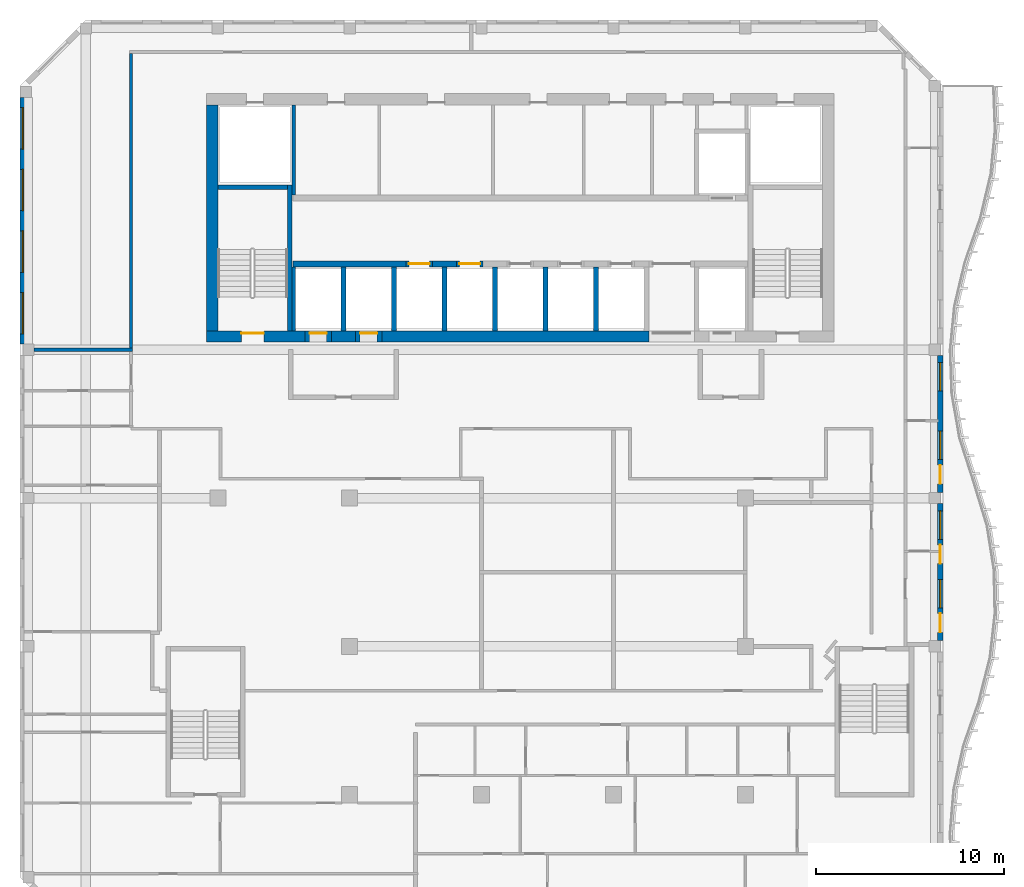
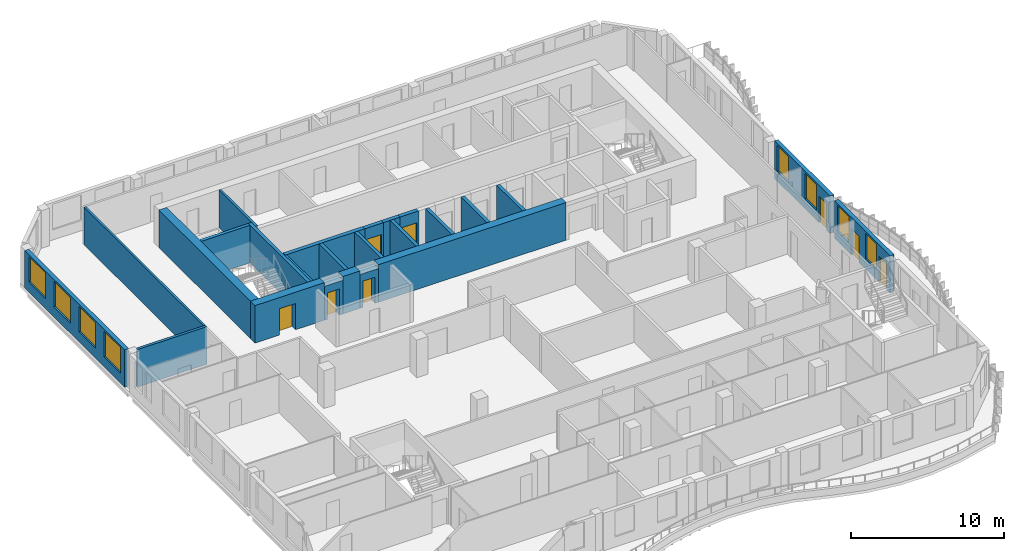
# One storey, part 6 of 14: 25 walls, 8 doors, 8 windows, 16 openings.
"""IFC4 building model written with IfcOpenShell, lengths in metres."""

from ifc_helpers import new_model, si_unit, direction, frame, frame_2d, origin, place, context, subcontext, project, spatial, rectangle, extrude, source, transform, mapped, material, layer, layer_set, type_object, element, fill, save


model = new_model("IFC4")

# Units and contexts
model_context = context("Model", 3, precision=1e-05, world=origin(), true_north=direction((0.0, 1.0)))
body_context = subcontext(model_context, "Body", "Model", "MODEL_VIEW")
ifc_project = project(units=[si_unit("LENGTHUNIT", "METRE"), si_unit("AREAUNIT", "SQUARE_METRE"), si_unit("VOLUMEUNIT", "CUBIC_METRE"), si_unit("PLANEANGLEUNIT", "RADIAN"), si_unit("MASSUNIT", "GRAM", prefix="KILO")], contexts=[model_context])

# Site, building, storey
site_placement = place(None, origin())
site = spatial("IfcSite", under=ifc_project, at=site_placement, CompositionType="ELEMENT")
building_placement = place(site_placement, origin())
building = spatial("IfcBuilding", under=site, at=building_placement, Name="Kilnfold Tower and Market Hall", CompositionType="ELEMENT")
storey_placement = place(building_placement, frame((0.0, 0.0, 315.39990234375)))
storey = spatial("IfcBuildingStorey", under=building, at=storey_placement, Name="L79", CompositionType="ELEMENT", Elevation=315.39990234375)

# Walls
ifc_material_1 = material(Name="Gypsum board on steel studs", Category="steel")
ifc_layer_1 = layer(ifc_material_1, 0.14990234375)
ifc_layer_set_1 = layer_set([ifc_layer_1], Name="Gypsum board on steel studs")
wall_type_1 = type_object("IfcWallType", Name="WALL CORRIDOR 150", PredefinedType="PARTITIONING", material=ifc_layer_set_1)
wall_1_placement = place(storey_placement, frame((-19.60009765625, 8.090087890625, 0.0), z_axis=(0.0, 0.0, 1.0), x_axis=(0.0, 1.0, 0.0)))
element("IfcWall", 1, at=wall_1_placement, inside=storey, type_object=wall_type_1, Name="Partition LY47.10", PredefinedType="PARTITIONING", context=body_context, shape_type="SweptSolid", body=[
    extrude(rectangle(XDim=15.635009765625, YDim=0.14990234375, at=frame_2d((7.8173828125, 0.0))), origin(), (0.0, 0.0, 1.0), 3.0),
])
ifc_material_2 = material(Name="Gypsum board on steel studs", Category="steel")
ifc_layer_2 = layer(ifc_material_2, 0.199951171875)
ifc_layer_set_2 = layer_set([ifc_layer_2], Name="Gypsum board on steel studs")
wall_type_2 = type_object("IfcWallType", Name="WALL PARTY 200", PredefinedType="PARTITIONING", material=ifc_layer_set_2)
wall_2_placement = place(storey_placement, frame((-19.527099609375, 8.0, 0.0), z_axis=(0.0, 0.0, 1.0), x_axis=(-1.0, 0.0, 0.0)))
element("IfcWall", 2, at=wall_2_placement, inside=storey, type_object=wall_type_2, Name="Partition LY47.49", PredefinedType="PARTITIONING", context=body_context, shape_type="SweptSolid", body=[
    extrude(rectangle(XDim=5.222900390625, YDim=0.199951171875, at=frame_2d((2.611328125, 0.0))), origin(), (0.0, 0.0, 1.0), 3.0),
])
ifc_material_3 = material(Name="Concrete C50", Category="concrete")
ifc_layer_3 = layer(ifc_material_3, 0.25)
ifc_layer_set_3 = layer_set([ifc_layer_3], Name="Concrete C50")
wall_type_3 = type_object("IfcWallType", Name="CORE WALL 250 C50", PredefinedType="SHEAR", material=ifc_layer_set_3)
shared_shape_1 = source(origin(), body_context, "Body", "SweptSolid", [
    extrude(rectangle(XDim=7.75, YDim=0.25, at=frame_2d((3.875, 0.0))), origin(), (0.0, 0.0, 1.0), 3.0),
])
wall_3_placement = place(storey_placement, frame((-11.175048828125, 9.0, 0.0), z_axis=(0.0, 0.0, 1.0), x_axis=(0.0, 1.0, 0.0)))
element("IfcWall", 3, at=wall_3_placement, inside=storey, type_object=wall_type_3, Name="Stair enclosure ST1", PredefinedType="SHEAR", context=body_context, shape_type="MappedRepresentation", body=[
    mapped(shared_shape_1, transform((0.0, 0.0, 0.0))),
])
shared_shape_2 = source(origin(), body_context, "Body", "SweptSolid", [
    extrude(rectangle(XDim=3.699951171875, YDim=0.25, at=frame_2d((1.85009765625, 0.0))), origin(), (0.0, 0.0, 1.0), 3.0),
])
wall_4_placement = place(storey_placement, frame((-15.0, 16.625, 0.0), z_axis=(0.0, 0.0, 1.0), x_axis=(1.0, 0.0, 0.0)))
element("IfcWall", 4, at=wall_4_placement, inside=storey, type_object=wall_type_3, Name="Stair enclosure ST1", PredefinedType="SHEAR", context=body_context, shape_type="MappedRepresentation", body=[
    mapped(shared_shape_2, transform((0.0, 0.0, 0.0))),
])
ifc_material_4 = material(Name="Concrete C50", Category="concrete")
ifc_layer_4 = layer(ifc_material_4, 0.300048828125)
ifc_layer_set_4 = layer_set([ifc_layer_4], Name="Concrete C50")
wall_type_4 = type_object("IfcWallType", Name="CORE WALL 300 C50", PredefinedType="SHEAR", material=ifc_layer_set_4)
shared_shape_3 = source(origin(), body_context, "Body", "SweptSolid", [
    extrude(rectangle(XDim=6.0, YDim=0.300048828125, at=frame_2d((3.0, 0.0))), origin(), (0.0, 0.0, 1.0), 3.0),
])
wall_5_placement = place(storey_placement, frame((-11.010009765625, 12.550048828125, 0.0), z_axis=(0.0, 0.0, 1.0), x_axis=(1.0, 0.0, 0.0)))
element("IfcWall", 5, at=wall_5_placement, inside=storey, type_object=wall_type_4, Name="Core spine wall", PredefinedType="SHEAR", context=body_context, shape_type="MappedRepresentation", body=[
    mapped(shared_shape_3, transform((0.0, 0.0, 0.0))),
])
shared_shape_4 = source(origin(), body_context, "Body", "SweptSolid", [
    extrude(rectangle(XDim=1.280029296875, YDim=0.300048828125, at=frame_2d((0.64013671875, 0.0))), origin(), (0.0, 0.0, 1.0), 3.0),
])
wall_6_placement = place(storey_placement, frame((-3.610107421875, 12.550048828125, 0.0), z_axis=(0.0, 0.0, 1.0), x_axis=(1.0, 0.0, 0.0)))
element("IfcWall", 6, at=wall_6_placement, inside=storey, type_object=wall_type_4, Name="Core spine wall", PredefinedType="SHEAR", context=body_context, shape_type="MappedRepresentation", body=[
    mapped(shared_shape_4, transform((0.0, 0.0, 0.0))),
])

# Wall, opening, door
ifc_material_5 = material(Name="Concrete C50", Category="concrete")
ifc_layer_5 = layer(ifc_material_5, 0.60009765625)
ifc_layer_set_5 = layer_set([ifc_layer_5], Name="Concrete C50")
wall_type_5 = type_object("IfcWallType", Name="CORE WALL 600 C50", PredefinedType="SHEAR", material=ifc_layer_set_5)
shared_shape_5 = source(origin(), body_context, "Body", "SweptSolid", [
    extrude(rectangle(XDim=5.22998046875, YDim=0.60009765625, at=frame_2d((2.614990234375, 0.0))), origin(), (0.0, 0.0, 1.0), 3.0),
])
wall_7_placement = place(storey_placement, frame((-15.60009765625, 8.699951171875, 0.0), z_axis=(0.0, 0.0, 1.0), x_axis=(1.0, 0.0, 0.0)))
wall_7 = element("IfcWall", 7, at=wall_7_placement, inside=storey, type_object=wall_type_5, Name="Core outer wall south", PredefinedType="SHEAR", context=body_context, shape_type="MappedRepresentation", body=[
    mapped(shared_shape_5, transform((0.0, 0.0, 0.0))),
])
opening_1_placement = place(wall_7_placement, frame((1.85009765625, 0.0, 0.0)))
opening_1 = element("IfcOpeningElement", 8, at=opening_1_placement, cuts=wall_7, Name="Opening SD1", PredefinedType="OPENING", context=body_context, shape_type="SweptSolid", body=[
    extrude(rectangle(XDim=1.199951171875, YDim=2.10009765625, at=frame_2d((0.60009765625, 1.050048828125))), frame((0.0, 0.31005859375, 0.0), z_axis=(0.0, -1.0, 0.0), x_axis=(1.0, 0.0, 0.0)), (0.0, 0.0, 1.0), 0.6201171875),
])
ifc_material_6 = material(Name="Steel door set with fire-resisting leaf", Category="steel")
door_type_1 = type_object("IfcDoorType", Name="STAIR FLOOR DOOR 1200X2100", OperationType="NOTDEFINED", PredefinedType="DOOR", material=ifc_material_6)
door_1_placement = place(opening_1_placement, origin())
door_1 = element("IfcDoor", 9, at=door_1_placement, inside=storey, type_object=door_type_1, Name="Exit stair ST1 door", OperationType="DOUBLE_DOOR_SINGLE_SWING", OverallHeight=2.10009765625, OverallWidth=1.199951171875, PredefinedType="DOOR", context=body_context, shape_type="SweptSolid", body=[
    extrude(rectangle(XDim=1.199951171875, YDim=2.10009765625, at=frame_2d((0.60009765625, 1.050048828125))), frame((0.0, 0.205078125, 0.0), z_axis=(0.0, -1.0, 0.0), x_axis=(1.0, 0.0, 0.0)), (0.0, 0.0, 1.0), 0.050048828125),
])
fill(opening_1, door_1)

# Walls
shared_shape_6 = source(origin(), body_context, "Body", "SweptSolid", [
    extrude(rectangle(XDim=1.280029296875, YDim=0.60009765625, at=frame_2d((0.64013671875, 0.0))), origin(), (0.0, 0.0, 1.0), 3.0),
])
wall_8_placement = place(storey_placement, frame((-8.969970703125, 8.699951171875, 0.0), z_axis=(0.0, 0.0, 1.0), x_axis=(1.0, 0.0, 0.0)))
element("IfcWall", 10, at=wall_8_placement, inside=storey, type_object=wall_type_5, Name="Core outer wall south", PredefinedType="SHEAR", context=body_context, shape_type="MappedRepresentation", body=[
    mapped(shared_shape_6, transform((0.0, 0.0, 0.0))),
])
shared_shape_7 = source(origin(), body_context, "Body", "SweptSolid", [
    extrude(rectangle(XDim=14.179931640625, YDim=0.60009765625, at=frame_2d((7.08984375, 0.0))), origin(), (0.0, 0.0, 1.0), 3.0),
])
wall_9_placement = place(storey_placement, frame((-6.2900390625, 8.699951171875, 0.0), z_axis=(0.0, 0.0, 1.0), x_axis=(1.0, 0.0, 0.0)))
element("IfcWall", 11, at=wall_9_placement, inside=storey, type_object=wall_type_5, Name="Core outer wall south", PredefinedType="SHEAR", context=body_context, shape_type="MappedRepresentation", body=[
    mapped(shared_shape_7, transform((0.0, 0.0, 0.0))),
])
shared_shape_8 = source(origin(), body_context, "Body", "SweptSolid", [
    extrude(rectangle(XDim=12.0, YDim=0.60009765625, at=frame_2d((6.0, 0.0))), origin(), (0.0, 0.0, 1.0), 3.0),
])
wall_10_placement = place(storey_placement, frame((-15.300048828125, 9.0, 0.0), z_axis=(0.0, 0.0, 1.0), x_axis=(0.0, 1.0, 0.0)))
element("IfcWall", 12, at=wall_10_placement, inside=storey, type_object=wall_type_5, Name="Core outer wall west", PredefinedType="SHEAR", context=body_context, shape_type="MappedRepresentation", body=[
    mapped(shared_shape_8, transform((0.0, 0.0, 0.0))),
])

# Wall, openings, doors, windows
ifc_material_7 = material(Name="Precast concrete C50/60", Category="concrete")
ifc_layer_6 = layer(ifc_material_7, 0.300048828125)
ifc_layer_set_6 = layer_set([ifc_layer_6], Name="Precast concrete C50/60")
wall_type_6 = type_object("IfcWallType", Name="PRECAST WALL 300", PredefinedType="SOLIDWALL", material=ifc_layer_set_6)
shared_shape_9 = source(origin(), body_context, "Body", "SweptSolid", [
    extrude(rectangle(XDim=7.27490234375, YDim=0.300048828125, at=frame_2d((3.637451171875, 0.0))), origin(), (0.0, 0.0, 1.0), 3.0),
])
wall_11_placement = place(storey_placement, frame((23.35009765625, -7.449951171875, 0.0), z_axis=(0.0, 0.0, 1.0), x_axis=(0.0, 1.0, 0.0)))
wall_11 = element("IfcWall", 13, at=wall_11_placement, inside=storey, type_object=wall_type_6, Name="External wall L79 E", PredefinedType="SOLIDWALL", context=body_context, shape_type="MappedRepresentation", body=[
    mapped(shared_shape_9, transform((0.0, 0.0, 0.0))),
])
opening_2_placement = place(wall_11_placement, frame((1.75, 0.0, 0.800048828125)))
opening_2 = element("IfcOpeningElement", 14, at=opening_2_placement, cuts=wall_11, Name="Opening W5", PredefinedType="OPENING", context=body_context, shape_type="SweptSolid", body=[
    extrude(rectangle(XDim=1.5, YDim=2.050048828125, at=frame_2d((0.75, 1.02490234375))), frame((0.0, 0.16015625, 0.0), z_axis=(0.0, -1.0, 0.0), x_axis=(1.0, 0.0, 0.0)), (0.0, 0.0, 1.0), 0.320068359375),
])
opening_3_placement = place(wall_11_placement, frame((0.449951171875, 0.0, 0.0)))
opening_3 = element("IfcOpeningElement", 15, at=opening_3_placement, cuts=wall_11, Name="Opening BD1", PredefinedType="OPENING", context=body_context, shape_type="SweptSolid", body=[
    extrude(rectangle(XDim=1.0, YDim=2.10009765625, at=frame_2d((0.5, 1.050048828125))), frame((0.0, 0.16015625, 0.0), z_axis=(0.0, -1.0, 0.0), x_axis=(1.0, 0.0, 0.0)), (0.0, 0.0, 1.0), 0.320068359375),
])
opening_4_placement = place(wall_11_placement, frame((5.387451171875, 0.0, 0.800048828125)))
opening_4 = element("IfcOpeningElement", 16, at=opening_4_placement, cuts=wall_11, Name="Opening W5", PredefinedType="OPENING", context=body_context, shape_type="SweptSolid", body=[
    extrude(rectangle(XDim=1.5, YDim=2.050048828125, at=frame_2d((0.75, 1.02490234375))), frame((0.0, 0.16015625, 0.0), z_axis=(0.0, -1.0, 0.0), x_axis=(1.0, 0.0, 0.0)), (0.0, 0.0, 1.0), 0.320068359375),
])
opening_5_placement = place(wall_11_placement, frame((4.08740234375, 0.0, 0.0)))
opening_5 = element("IfcOpeningElement", 17, at=opening_5_placement, cuts=wall_11, Name="Opening BD1", PredefinedType="OPENING", context=body_context, shape_type="SweptSolid", body=[
    extrude(rectangle(XDim=1.0, YDim=2.10009765625, at=frame_2d((0.5, 1.050048828125))), frame((0.0, 0.16015625, 0.0), z_axis=(0.0, -1.0, 0.0), x_axis=(1.0, 0.0, 0.0)), (0.0, 0.0, 1.0), 0.320068359375),
])
ifc_material_8 = material(Name="Aluminium frame and double glazing", Category="aluminium")
door_type_2 = type_object("IfcDoorType", Name="BALCONY DOOR 1000X2100", OperationType="NOTDEFINED", PredefinedType="DOOR", material=ifc_material_8)
door_2_placement = place(opening_3_placement, origin())
door_2 = element("IfcDoor", 18, at=door_2_placement, inside=storey, type_object=door_type_2, Name="Balcony door BD1 L79 E-1", OperationType="SINGLE_SWING_LEFT", OverallHeight=2.10009765625, OverallWidth=1.0, PredefinedType="DOOR", context=body_context, shape_type="SweptSolid", body=[
    extrude(rectangle(XDim=1.0, YDim=2.10009765625, at=frame_2d((0.5, 1.050048828125))), frame((0.0, 0.02490234375, 0.0), z_axis=(0.0, -1.0, 0.0), x_axis=(1.0, 0.0, 0.0)), (0.0, 0.0, 1.0), 0.050048828125),
])
fill(opening_3, door_2)
door_3_placement = place(opening_5_placement, origin())
door_3 = element("IfcDoor", 19, at=door_3_placement, inside=storey, type_object=door_type_2, Name="Balcony door BD1 L79 E-2", OperationType="SINGLE_SWING_RIGHT", OverallHeight=2.10009765625, OverallWidth=1.0, PredefinedType="DOOR", context=body_context, shape_type="SweptSolid", body=[
    extrude(rectangle(XDim=1.0, YDim=2.10009765625, at=frame_2d((0.5, 1.050048828125))), frame((0.0, 0.02490234375, 0.0), z_axis=(0.0, -1.0, 0.0), x_axis=(1.0, 0.0, 0.0)), (0.0, 0.0, 1.0), 0.050048828125),
])
fill(opening_5, door_3)
ifc_material_9 = material(Name="Aluminium frame and double glazing", Category="aluminium")
window_type_1 = type_object("IfcWindowType", Name="WINDOW W5 1500X2050", PartitioningType="SINGLE_PANEL", PredefinedType="WINDOW", material=ifc_material_9)
window_1_placement = place(opening_2_placement, origin())
window_1 = element("IfcWindow", 20, at=window_1_placement, inside=storey, type_object=window_type_1, Name="Window W5 L79 E-1", OverallHeight=2.050048828125, OverallWidth=1.5, PartitioningType="SINGLE_PANEL", PredefinedType="WINDOW", context=body_context, shape_type="SweptSolid", body=[
    extrude(rectangle(XDim=1.5, YDim=2.050048828125, at=frame_2d((0.75, 1.02490234375))), frame((0.0, 0.030029296875, 0.0), z_axis=(0.0, -1.0, 0.0), x_axis=(1.0, 0.0, 0.0)), (0.0, 0.0, 1.0), 0.06005859375),
])
fill(opening_2, window_1)
window_2_placement = place(opening_4_placement, origin())
window_2 = element("IfcWindow", 21, at=window_2_placement, inside=storey, type_object=window_type_1, Name="Window W5 L79 E-2", OverallHeight=2.050048828125, OverallWidth=1.5, PartitioningType="SINGLE_PANEL", PredefinedType="WINDOW", context=body_context, shape_type="SweptSolid", body=[
    extrude(rectangle(XDim=1.5, YDim=2.050048828125, at=frame_2d((0.75, 1.02490234375))), frame((0.0, 0.030029296875, 0.0), z_axis=(0.0, -1.0, 0.0), x_axis=(1.0, 0.0, 0.0)), (0.0, 0.0, 1.0), 0.06005859375),
])
fill(opening_4, window_2)

# Wall, openings, door, windows
wall_12_placement = place(storey_placement, frame((23.35009765625, 0.425048828125, 0.0), z_axis=(0.0, 0.0, 1.0), x_axis=(0.0, 1.0, 0.0)))
wall_12 = element("IfcWall", 22, at=wall_12_placement, inside=storey, type_object=wall_type_6, Name="External wall L79 E", PredefinedType="SOLIDWALL", context=body_context, shape_type="MappedRepresentation", body=[
    mapped(shared_shape_9, transform((0.0, 0.0, 0.0))),
])
opening_6_placement = place(wall_12_placement, frame((1.75, 0.0, 0.800048828125)))
opening_6 = element("IfcOpeningElement", 23, at=opening_6_placement, cuts=wall_12, Name="Opening W5", PredefinedType="OPENING", context=body_context, shape_type="SweptSolid", body=[
    extrude(rectangle(XDim=1.5, YDim=2.050048828125, at=frame_2d((0.75, 1.02490234375))), frame((0.0, 0.16015625, 0.0), z_axis=(0.0, -1.0, 0.0), x_axis=(1.0, 0.0, 0.0)), (0.0, 0.0, 1.0), 0.320068359375),
])
opening_7_placement = place(wall_12_placement, frame((0.449951171875, 0.0, 0.0)))
opening_7 = element("IfcOpeningElement", 24, at=opening_7_placement, cuts=wall_12, Name="Opening BD1", PredefinedType="OPENING", context=body_context, shape_type="SweptSolid", body=[
    extrude(rectangle(XDim=1.0, YDim=2.10009765625, at=frame_2d((0.5, 1.050048828125))), frame((0.0, 0.16015625, 0.0), z_axis=(0.0, -1.0, 0.0), x_axis=(1.0, 0.0, 0.0)), (0.0, 0.0, 1.0), 0.320068359375),
])
opening_8_placement = place(wall_12_placement, frame((5.387451171875, 0.0, 0.800048828125)))
opening_8 = element("IfcOpeningElement", 25, at=opening_8_placement, cuts=wall_12, Name="Opening W5", PredefinedType="OPENING", context=body_context, shape_type="SweptSolid", body=[
    extrude(rectangle(XDim=1.5, YDim=2.050048828125, at=frame_2d((0.75, 1.02490234375))), frame((0.0, 0.16015625, 0.0), z_axis=(0.0, -1.0, 0.0), x_axis=(1.0, 0.0, 0.0)), (0.0, 0.0, 1.0), 0.320068359375),
])
door_4_placement = place(opening_7_placement, origin())
door_4 = element("IfcDoor", 26, at=door_4_placement, inside=storey, type_object=door_type_2, Name="Balcony door BD1 L79 E-1", OperationType="SINGLE_SWING_LEFT", OverallHeight=2.10009765625, OverallWidth=1.0, PredefinedType="DOOR", context=body_context, shape_type="SweptSolid", body=[
    extrude(rectangle(XDim=1.0, YDim=2.10009765625, at=frame_2d((0.5, 1.050048828125))), frame((0.0, 0.02490234375, 0.0), z_axis=(0.0, -1.0, 0.0), x_axis=(1.0, 0.0, 0.0)), (0.0, 0.0, 1.0), 0.050048828125),
])
fill(opening_7, door_4)
window_3_placement = place(opening_6_placement, origin())
window_3 = element("IfcWindow", 27, at=window_3_placement, inside=storey, type_object=window_type_1, Name="Window W5 L79 E-1", OverallHeight=2.050048828125, OverallWidth=1.5, PartitioningType="SINGLE_PANEL", PredefinedType="WINDOW", context=body_context, shape_type="SweptSolid", body=[
    extrude(rectangle(XDim=1.5, YDim=2.050048828125, at=frame_2d((0.75, 1.02490234375))), frame((0.0, 0.030029296875, 0.0), z_axis=(0.0, -1.0, 0.0), x_axis=(1.0, 0.0, 0.0)), (0.0, 0.0, 1.0), 0.06005859375),
])
fill(opening_6, window_3)
window_4_placement = place(opening_8_placement, origin())
window_4 = element("IfcWindow", 28, at=window_4_placement, inside=storey, type_object=window_type_1, Name="Window W5 L79 E-2", OverallHeight=2.050048828125, OverallWidth=1.5, PartitioningType="SINGLE_PANEL", PredefinedType="WINDOW", context=body_context, shape_type="SweptSolid", body=[
    extrude(rectangle(XDim=1.5, YDim=2.050048828125, at=frame_2d((0.75, 1.02490234375))), frame((0.0, 0.030029296875, 0.0), z_axis=(0.0, -1.0, 0.0), x_axis=(1.0, 0.0, 0.0)), (0.0, 0.0, 1.0), 0.06005859375),
])
fill(opening_8, window_4)

# Wall, openings, windows
shared_shape_10 = source(origin(), body_context, "Body", "SweptSolid", [
    extrude(rectangle(XDim=13.081787109375, YDim=0.300048828125, at=frame_2d((6.541015625, 0.0))), origin(), (0.0, 0.0, 1.0), 3.0),
])
wall_13_placement = place(storey_placement, frame((-25.35009765625, 21.3818359375, 0.0), z_axis=(0.0, 0.0, 1.0), x_axis=(0.0, -1.0, 0.0)))
wall_13 = element("IfcWall", 29, at=wall_13_placement, inside=storey, type_object=wall_type_6, Name="External wall L79 W", PredefinedType="SOLIDWALL", context=body_context, shape_type="MappedRepresentation", body=[
    mapped(shared_shape_10, transform((0.0, 0.0, 0.0))),
])
opening_9_placement = place(wall_13_placement, frame((0.53515625, 0.0, 0.800048828125)))
opening_9 = element("IfcOpeningElement", 30, at=opening_9_placement, cuts=wall_13, Name="Opening W3", PredefinedType="OPENING", context=body_context, shape_type="SweptSolid", body=[
    extrude(rectangle(XDim=2.199951171875, YDim=2.050048828125, at=frame_2d((1.10009765625, 1.02490234375))), frame((0.0, 0.16015625, 0.0), z_axis=(0.0, -1.0, 0.0), x_axis=(1.0, 0.0, 0.0)), (0.0, 0.0, 1.0), 0.320068359375),
])
opening_10_placement = place(wall_13_placement, frame((3.8056640625, 0.0, 0.800048828125)))
opening_10 = element("IfcOpeningElement", 31, at=opening_10_placement, cuts=wall_13, Name="Opening W3", PredefinedType="OPENING", context=body_context, shape_type="SweptSolid", body=[
    extrude(rectangle(XDim=2.199951171875, YDim=2.050048828125, at=frame_2d((1.10009765625, 1.02490234375))), frame((0.0, 0.16015625, 0.0), z_axis=(0.0, -1.0, 0.0), x_axis=(1.0, 0.0, 0.0)), (0.0, 0.0, 1.0), 0.320068359375),
])
opening_11_placement = place(wall_13_placement, frame((7.076171875, 0.0, 0.800048828125)))
opening_11 = element("IfcOpeningElement", 32, at=opening_11_placement, cuts=wall_13, Name="Opening W3", PredefinedType="OPENING", context=body_context, shape_type="SweptSolid", body=[
    extrude(rectangle(XDim=2.199951171875, YDim=2.050048828125, at=frame_2d((1.10009765625, 1.02490234375))), frame((0.0, 0.16015625, 0.0), z_axis=(0.0, -1.0, 0.0), x_axis=(1.0, 0.0, 0.0)), (0.0, 0.0, 1.0), 0.320068359375),
])
opening_12_placement = place(wall_13_placement, frame((10.3466796875, 0.0, 0.800048828125)))
opening_12 = element("IfcOpeningElement", 33, at=opening_12_placement, cuts=wall_13, Name="Opening W3", PredefinedType="OPENING", context=body_context, shape_type="SweptSolid", body=[
    extrude(rectangle(XDim=2.199951171875, YDim=2.050048828125, at=frame_2d((1.10009765625, 1.02490234375))), frame((0.0, 0.16015625, 0.0), z_axis=(0.0, -1.0, 0.0), x_axis=(1.0, 0.0, 0.0)), (0.0, 0.0, 1.0), 0.320068359375),
])
ifc_material_10 = material(Name="Aluminium frame and double glazing", Category="aluminium")
window_type_2 = type_object("IfcWindowType", Name="WINDOW W3 2200X2050", PartitioningType="SINGLE_PANEL", PredefinedType="WINDOW", material=ifc_material_10)
window_5_placement = place(opening_9_placement, origin())
window_5 = element("IfcWindow", 34, at=window_5_placement, inside=storey, type_object=window_type_2, Name="Window W3 L79 W-1", OverallHeight=2.050048828125, OverallWidth=2.199951171875, PartitioningType="SINGLE_PANEL", PredefinedType="WINDOW", context=body_context, shape_type="SweptSolid", body=[
    extrude(rectangle(XDim=2.199951171875, YDim=2.050048828125, at=frame_2d((1.10009765625, 1.02490234375))), frame((0.0, 0.030029296875, 0.0), z_axis=(0.0, -1.0, 0.0), x_axis=(1.0, 0.0, 0.0)), (0.0, 0.0, 1.0), 0.06005859375),
])
fill(opening_9, window_5)
window_6_placement = place(opening_10_placement, origin())
window_6 = element("IfcWindow", 35, at=window_6_placement, inside=storey, type_object=window_type_2, Name="Window W3 L79 W-2", OverallHeight=2.050048828125, OverallWidth=2.199951171875, PartitioningType="SINGLE_PANEL", PredefinedType="WINDOW", context=body_context, shape_type="SweptSolid", body=[
    extrude(rectangle(XDim=2.199951171875, YDim=2.050048828125, at=frame_2d((1.10009765625, 1.02490234375))), frame((0.0, 0.030029296875, 0.0), z_axis=(0.0, -1.0, 0.0), x_axis=(1.0, 0.0, 0.0)), (0.0, 0.0, 1.0), 0.06005859375),
])
fill(opening_10, window_6)
window_7_placement = place(opening_11_placement, origin())
window_7 = element("IfcWindow", 36, at=window_7_placement, inside=storey, type_object=window_type_2, Name="Window W3 L79 W-3", OverallHeight=2.050048828125, OverallWidth=2.199951171875, PartitioningType="SINGLE_PANEL", PredefinedType="WINDOW", context=body_context, shape_type="SweptSolid", body=[
    extrude(rectangle(XDim=2.199951171875, YDim=2.050048828125, at=frame_2d((1.10009765625, 1.02490234375))), frame((0.0, 0.030029296875, 0.0), z_axis=(0.0, -1.0, 0.0), x_axis=(1.0, 0.0, 0.0)), (0.0, 0.0, 1.0), 0.06005859375),
])
fill(opening_11, window_7)
window_8_placement = place(opening_12_placement, origin())
window_8 = element("IfcWindow", 37, at=window_8_placement, inside=storey, type_object=window_type_2, Name="Window W3 L79 W-4", OverallHeight=2.050048828125, OverallWidth=2.199951171875, PartitioningType="SINGLE_PANEL", PredefinedType="WINDOW", context=body_context, shape_type="SweptSolid", body=[
    extrude(rectangle(XDim=2.199951171875, YDim=2.050048828125, at=frame_2d((1.10009765625, 1.02490234375))), frame((0.0, 0.030029296875, 0.0), z_axis=(0.0, -1.0, 0.0), x_axis=(1.0, 0.0, 0.0)), (0.0, 0.0, 1.0), 0.06005859375),
])
fill(opening_12, window_8)

# Wall, opening, door
ifc_material_11 = material(Name="Gypsum shaft wall system")
ifc_layer_7 = layer(ifc_material_11, 0.300048828125)
ifc_layer_set_7 = layer_set([ifc_layer_7], Name="Gypsum shaft wall system")
wall_type_7 = type_object("IfcWallType", Name="SHAFT WALL 300", PredefinedType="PARTITIONING", material=ifc_layer_set_7)
shared_shape_11 = source(origin(), body_context, "Body", "SweptSolid", [
    extrude(rectangle(XDim=1.39990234375, YDim=0.300048828125, at=frame_2d((0.699951171875, 0.0))), origin(), (0.0, 0.0, 1.0), 3.0),
])
wall_14_placement = place(storey_placement, frame((-5.010009765625, 12.550048828125, 0.0), z_axis=(0.0, 0.0, 1.0), x_axis=(1.0, 0.0, 0.0)))
wall_14 = element("IfcWall", 38, at=wall_14_placement, inside=storey, type_object=wall_type_7, Name="Lift shaft front wall", PredefinedType="PARTITIONING", context=body_context, shape_type="MappedRepresentation", body=[
    mapped(shared_shape_11, transform((0.0, 0.0, 0.0))),
])
opening_13_placement = place(wall_14_placement, frame((0.14990234375, 0.0, 0.0)))
opening_13 = element("IfcOpeningElement", 39, at=opening_13_placement, cuts=wall_14, Name="Opening LD2", PredefinedType="OPENING", context=body_context, shape_type="SweptSolid", body=[
    extrude(rectangle(XDim=1.10009765625, YDim=2.10009765625, at=frame_2d((0.550048828125, 1.050048828125))), frame((0.0, 0.16015625, 0.0), z_axis=(0.0, -1.0, 0.0), x_axis=(1.0, 0.0, 0.0)), (0.0, 0.0, 1.0), 0.320068359375),
])
ifc_material_12 = material(Name="Steel door set with fire-resisting leaf", Category="steel")
door_type_3 = type_object("IfcDoorType", Name="LANDING DOOR 1100X2100", OperationType="NOTDEFINED", PredefinedType="DOOR", material=ifc_material_12)
door_5_placement = place(opening_13_placement, origin())
door_5 = element("IfcDoor", 40, at=door_5_placement, inside=storey, type_object=door_type_3, Name="Landing door HR1", OperationType="DOUBLE_DOOR_SLIDING", OverallHeight=2.10009765625, OverallWidth=1.10009765625, PredefinedType="DOOR", context=body_context, shape_type="SweptSolid", body=[
    extrude(rectangle(XDim=1.10009765625, YDim=2.10009765625, at=frame_2d((0.550048828125, 1.050048828125))), frame((0.0, 0.02490234375, 0.0), z_axis=(0.0, -1.0, 0.0), x_axis=(1.0, 0.0, 0.0)), (0.0, 0.0, 1.0), 0.050048828125),
])
fill(opening_13, door_5)

shared_shape_12 = source(origin(), body_context, "Body", "SweptSolid", [
    extrude(rectangle(XDim=1.400146484375, YDim=0.300048828125, at=frame_2d((0.7001953125, 0.0))), origin(), (0.0, 0.0, 1.0), 3.0),
])
wall_15_placement = place(storey_placement, frame((-2.330078125, 12.550048828125, 0.0), z_axis=(0.0, 0.0, 1.0), x_axis=(1.0, 0.0, 0.0)))
wall_15 = element("IfcWall", 41, at=wall_15_placement, inside=storey, type_object=wall_type_7, Name="Lift shaft front wall", PredefinedType="PARTITIONING", context=body_context, shape_type="MappedRepresentation", body=[
    mapped(shared_shape_12, transform((0.0, 0.0, 0.0))),
])
opening_14_placement = place(wall_15_placement, frame((0.14990234375, 0.0, 0.0)))
opening_14 = element("IfcOpeningElement", 42, at=opening_14_placement, cuts=wall_15, Name="Opening LD2", PredefinedType="OPENING", context=body_context, shape_type="SweptSolid", body=[
    extrude(rectangle(XDim=1.10009765625, YDim=2.10009765625, at=frame_2d((0.550048828125, 1.050048828125))), frame((0.0, 0.16015625, 0.0), z_axis=(0.0, -1.0, 0.0), x_axis=(1.0, 0.0, 0.0)), (0.0, 0.0, 1.0), 0.320068359375),
])
door_6_placement = place(opening_14_placement, origin())
door_6 = element("IfcDoor", 43, at=door_6_placement, inside=storey, type_object=door_type_3, Name="Landing door HR2", OperationType="DOUBLE_DOOR_SLIDING", OverallHeight=2.10009765625, OverallWidth=1.10009765625, PredefinedType="DOOR", context=body_context, shape_type="SweptSolid", body=[
    extrude(rectangle(XDim=1.10009765625, YDim=2.10009765625, at=frame_2d((0.550048828125, 1.050048828125))), frame((0.0, 0.02490234375, 0.0), z_axis=(0.0, -1.0, 0.0), x_axis=(1.0, 0.0, 0.0)), (0.0, 0.0, 1.0), 0.050048828125),
])
fill(opening_14, door_6)

# Walls
ifc_material_13 = material(Name="Gypsum shaft wall system")
ifc_layer_8 = layer(ifc_material_13, 0.1650390625)
ifc_layer_set_8 = layer_set([ifc_layer_8], Name="Gypsum shaft wall system")
wall_type_8 = type_object("IfcWallType", Name="SHAFT WALL 165", PredefinedType="PARTITIONING", material=ifc_layer_set_8)
shared_shape_13 = source(origin(), body_context, "Body", "SweptSolid", [
    extrude(rectangle(XDim=4.800048828125, YDim=0.1650390625, at=frame_2d((2.39990234375, 0.0))), origin(), (0.0, 0.0, 1.0), 3.0),
])
wall_16_placement = place(storey_placement, frame((-10.967529296875, 16.199951171875, 0.0), z_axis=(0.0, 0.0, 1.0), x_axis=(0.0, 1.0, 0.0)))
element("IfcWall", 44, at=wall_16_placement, inside=storey, type_object=wall_type_8, Name="Lift shaft wall", PredefinedType="PARTITIONING", context=body_context, shape_type="MappedRepresentation", body=[
    mapped(shared_shape_13, transform((0.0, 0.0, 0.0))),
])
ifc_material_14 = material(Name="Gypsum shaft wall system")
ifc_layer_9 = layer(ifc_material_14, 0.25)
ifc_layer_set_9 = layer_set([ifc_layer_9], Name="Gypsum shaft wall system")
wall_type_9 = type_object("IfcWallType", Name="SHAFT WALL 250", PredefinedType="PARTITIONING", material=ifc_layer_set_9)
shared_shape_14 = source(origin(), body_context, "Body", "SweptSolid", [
    extrude(rectangle(XDim=3.39990234375, YDim=0.25, at=frame_2d((1.699951171875, 0.0))), origin(), (0.0, 0.0, 1.0), 3.0),
])
for number, where, z_axis, x_axis, name in (
    (45, (2.389892578125, 9.0, 0.0), (0.0, 0.0, 1.0), (0.0, 1.0, 0.0), "Lift shaft wall"),
    (46, (5.070068359375, 9.0, 0.0), (0.0, 0.0, 1.0), (0.0, 1.0, 0.0), "Lift shaft wall"),
    (47, (-0.2900390625, 9.0, 0.0), (0.0, 0.0, 1.0), (0.0, 1.0, 0.0), "Lift shaft wall"),
    (48, (-2.969970703125, 9.0, 0.0), (0.0, 0.0, 1.0), (0.0, 1.0, 0.0), "Lift shaft wall"),
    (49, (-5.64990234375, 9.0, 0.0), (0.0, 0.0, 1.0), (0.0, 1.0, 0.0), "Lift shaft wall"),
    (50, (-8.330078125, 9.0, 0.0), (0.0, 0.0, 1.0), (0.0, 1.0, 0.0), "Lift shaft wall"),
):
    element("IfcWall", number, at=place(storey_placement, frame(where, z_axis=z_axis, x_axis=x_axis)), inside=storey, type_object=wall_type_9, Name=name, PredefinedType="PARTITIONING", context=body_context, shape_type="MappedRepresentation", body=[
        mapped(shared_shape_14, transform((0.0, 0.0, 0.0))),
    ])
shared_shape_15 = source(origin(), body_context, "Body", "SweptSolid", [
    extrude(rectangle(XDim=3.39990234375, YDim=0.1650390625, at=frame_2d((1.699951171875, 0.0))), origin(), (0.0, 0.0, 1.0), 3.0),
])
wall_17_placement = place(storey_placement, frame((-10.967529296875, 9.0, 0.0), z_axis=(0.0, 0.0, 1.0), x_axis=(0.0, 1.0, 0.0)))
element("IfcWall", 51, at=wall_17_placement, inside=storey, type_object=wall_type_8, Name="Lift shaft wall", PredefinedType="PARTITIONING", context=body_context, shape_type="MappedRepresentation", body=[
    mapped(shared_shape_15, transform((0.0, 0.0, 0.0))),
])

# Wall, opening, door
ifc_material_15 = material(Name="Gypsum shaft wall system")
ifc_layer_10 = layer(ifc_material_15, 0.60009765625)
ifc_layer_set_10 = layer_set([ifc_layer_10], Name="Gypsum shaft wall system")
wall_type_10 = type_object("IfcWallType", Name="LOBBY WALL 600", PredefinedType="PARTITIONING", material=ifc_layer_set_10)
shared_shape_16 = source(origin(), body_context, "Body", "SweptSolid", [
    extrude(rectangle(XDim=1.400146484375, YDim=0.60009765625, at=frame_2d((0.7001953125, 0.0))), origin(), (0.0, 0.0, 1.0), 2.7001953125),
])
wall_18_placement = place(storey_placement, frame((-10.3701171875, 8.699951171875, 0.0), z_axis=(0.0, 0.0, 1.0), x_axis=(1.0, 0.0, 0.0)))
wall_18 = element("IfcWall", 52, at=wall_18_placement, inside=storey, type_object=wall_type_10, Name="Core wall infill", PredefinedType="PARTITIONING", context=body_context, shape_type="MappedRepresentation", body=[
    mapped(shared_shape_16, transform((0.0, 0.0, 0.0))),
])
opening_15_placement = place(wall_18_placement, frame((0.25, 0.0, 0.0)))
opening_15 = element("IfcOpeningElement", 53, at=opening_15_placement, cuts=wall_18, Name="Opening LD1", PredefinedType="OPENING", context=body_context, shape_type="SweptSolid", body=[
    extrude(rectangle(XDim=0.89990234375, YDim=2.10009765625, at=frame_2d((0.449951171875, 1.050048828125))), frame((0.0, 0.31005859375, 0.0), z_axis=(0.0, -1.0, 0.0), x_axis=(1.0, 0.0, 0.0)), (0.0, 0.0, 1.0), 0.6201171875),
])
ifc_material_16 = material(Name="Steel door set with fire-resisting leaf", Category="steel")
door_type_4 = type_object("IfcDoorType", Name="FIREFIGHTING LANDING DOOR 900X2100", OperationType="NOTDEFINED", PredefinedType="DOOR", material=ifc_material_16)
door_7_placement = place(opening_15_placement, origin())
door_7 = element("IfcDoor", 54, at=door_7_placement, inside=storey, type_object=door_type_4, Name="Landing door FF1", OperationType="SLIDING_TO_LEFT", OverallHeight=2.10009765625, OverallWidth=0.89990234375, PredefinedType="DOOR", context=body_context, shape_type="SweptSolid", body=[
    extrude(rectangle(XDim=0.89990234375, YDim=2.10009765625, at=frame_2d((0.449951171875, 1.050048828125))), frame((0.0, 0.205078125, 0.0), z_axis=(0.0, -1.0, 0.0), x_axis=(1.0, 0.0, 0.0)), (0.0, 0.0, 1.0), 0.050048828125),
])
fill(opening_15, door_7)

shared_shape_17 = source(origin(), body_context, "Body", "SweptSolid", [
    extrude(rectangle(XDim=1.39990234375, YDim=0.60009765625, at=frame_2d((0.699951171875, 0.0))), origin(), (0.0, 0.0, 1.0), 2.7001953125),
])
wall_19_placement = place(storey_placement, frame((-7.68994140625, 8.699951171875, 0.0), z_axis=(0.0, 0.0, 1.0), x_axis=(1.0, 0.0, 0.0)))
wall_19 = element("IfcWall", 55, at=wall_19_placement, inside=storey, type_object=wall_type_10, Name="Core wall infill", PredefinedType="PARTITIONING", context=body_context, shape_type="MappedRepresentation", body=[
    mapped(shared_shape_17, transform((0.0, 0.0, 0.0))),
])
opening_16_placement = place(wall_19_placement, frame((0.25, 0.0, 0.0)))
opening_16 = element("IfcOpeningElement", 56, at=opening_16_placement, cuts=wall_19, Name="Opening LD1", PredefinedType="OPENING", context=body_context, shape_type="SweptSolid", body=[
    extrude(rectangle(XDim=0.89990234375, YDim=2.10009765625, at=frame_2d((0.449951171875, 1.050048828125))), frame((0.0, 0.31005859375, 0.0), z_axis=(0.0, -1.0, 0.0), x_axis=(1.0, 0.0, 0.0)), (0.0, 0.0, 1.0), 0.6201171875),
])
door_8_placement = place(opening_16_placement, origin())
door_8 = element("IfcDoor", 57, at=door_8_placement, inside=storey, type_object=door_type_4, Name="Landing door FF2", OperationType="SLIDING_TO_RIGHT", OverallHeight=2.10009765625, OverallWidth=0.89990234375, PredefinedType="DOOR", context=body_context, shape_type="SweptSolid", body=[
    extrude(rectangle(XDim=0.89990234375, YDim=2.10009765625, at=frame_2d((0.449951171875, 1.050048828125))), frame((0.0, 0.205078125, 0.0), z_axis=(0.0, -1.0, 0.0), x_axis=(1.0, 0.0, 0.0)), (0.0, 0.0, 1.0), 0.050048828125),
])
fill(opening_16, door_8)

save(model, "model.ifc")
